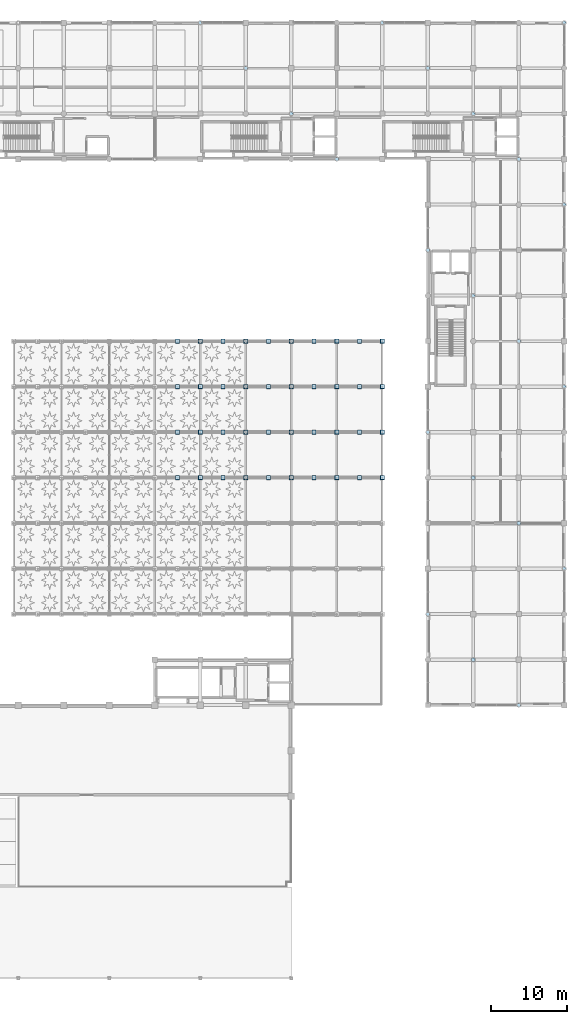
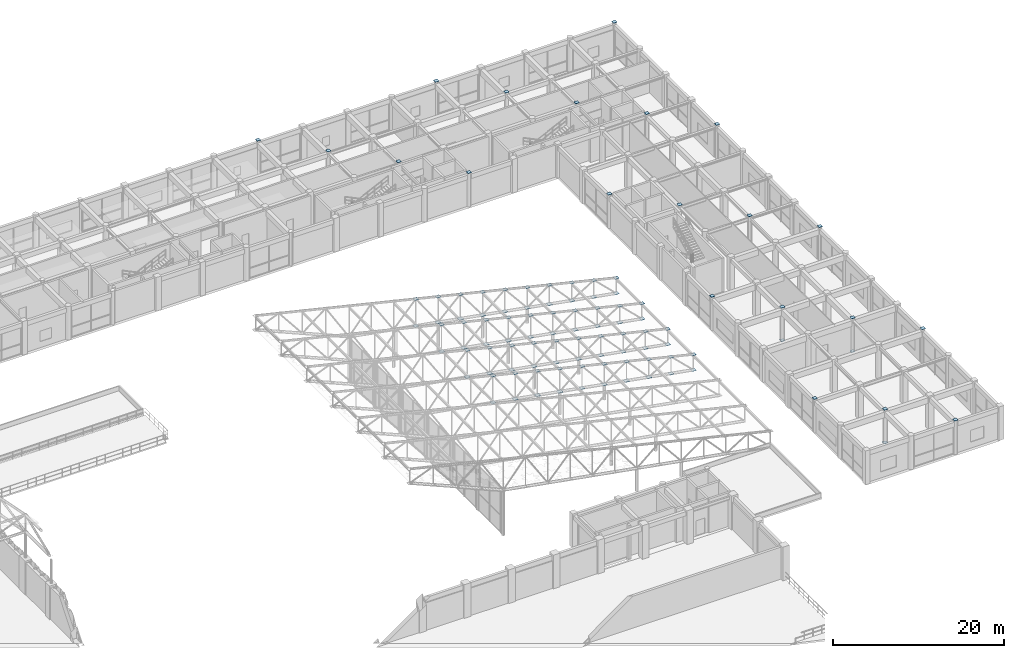
# One storey, part 90 of 112: 104 plates.
"""IFC4 building model written with IfcOpenShell, lengths in metres."""

from ifc_helpers import new_model, si_unit, direction, frame, origin, origin_2d, place, context, subcontext, project, spatial, rectangle, extrude, material, layer, layer_set, type_object, element, save


model = new_model("IFC4")

# Units and contexts
model_context = context("Model", 3, precision=1e-05, world=origin(), true_north=direction((0.0, 1.0)))
body_context = subcontext(model_context, "Body", "Model", "MODEL_VIEW")
ifc_project = project(units=[si_unit("LENGTHUNIT", "METRE"), si_unit("AREAUNIT", "SQUARE_METRE"), si_unit("VOLUMEUNIT", "CUBIC_METRE"), si_unit("PLANEANGLEUNIT", "RADIAN"), si_unit("MASSUNIT", "GRAM", prefix="KILO"), si_unit("THERMODYNAMICTEMPERATUREUNIT", "KELVIN"), si_unit("POWERUNIT", "WATT")], contexts=[model_context])

# Site, building, storey
site_placement = place(None, origin())
site = spatial("IfcSite", under=ifc_project, at=site_placement, CompositionType="ELEMENT")
building_placement = place(site_placement, origin())
building = spatial("IfcBuilding", under=site, at=building_placement, Name="Phaisarnlok Congress Hotel", CompositionType="ELEMENT")
storey_placement = place(building_placement, frame((0.0, 0.0, 19.800048828125)))
storey = spatial("IfcBuildingStorey", under=building, at=storey_placement, Name="L04", CompositionType="ELEMENT", Elevation=19.800048828125)

# Plates
ifc_material = material(Name="Steel S355", Category="steel")
ifc_layer_1 = layer(ifc_material, 0.0400390625, Name="Steel S355")
ifc_layer_set_1 = layer_set([ifc_layer_1], Name="Steel S355")
plate_type_1 = type_object("IfcPlateType", Name="PLT-CAP-480", PredefinedType="SHEET", material=ifc_layer_set_1)
for number, where, z_axis, x_axis, name in (
    (1, (132.0, 126.0, 4.780029296875), (0.0, 0.0, 1.0), (1.0, 0.0, 0.0), "Steel column cap/base plate NP-04 at NP-COLT-COL-L04-132-126"),
    (2, (138.0, 120.0, 4.780029296875), (0.0, 0.0, 1.0), (1.0, 0.0, 0.0), "Steel column cap/base plate NP-04 at NP-COLT-COL-L04-138-120"),
    (3, (144.0, 114.0, 4.780029296875), (0.0, 0.0, 1.0), (1.0, 0.0, 0.0), "Steel column cap/base plate NP-04 at NP-COLT-COL-L04-144-114"),
    (4, (150.0, 108.0, 4.780029296875), (0.0, 0.0, 1.0), (1.0, 0.0, 0.0), "Steel column cap/base plate NP-04 at NP-COLT-COL-L04-150-108"),
    (5, (156.0, 126.0, 4.780029296875), (0.0, 0.0, 1.0), (1.0, 0.0, 0.0), "Steel column cap/base plate NP-04 at NP-COLT-COL-L04-156-126"),
    (6, (162.0, 48.0, 4.780029296875), (0.0, 0.0, 1.0), (1.0, 0.0, 0.0), "Steel column cap/base plate NP-04 at NP-COLT-COL-L04-162-048"),
    (7, (162.0, 72.0, 4.780029296875), (0.0, 0.0, 1.0), (1.0, 0.0, 0.0), "Steel column cap/base plate NP-04 at NP-COLT-COL-L04-162-072"),
    (8, (162.0, 96.0, 4.780029296875), (0.0, 0.0, 1.0), (1.0, 0.0, 0.0), "Steel column cap/base plate NP-04 at NP-COLT-COL-L04-162-096"),
    (9, (162.0, 120.0, 4.780029296875), (0.0, 0.0, 1.0), (1.0, 0.0, 0.0), "Steel column cap/base plate NP-04 at NP-COLT-COL-L04-162-120"),
    (10, (168.0, 42.0, -0.02001953125), (0.0, 0.0, 1.0), (1.0, 0.0, 0.0), "Steel column cap/base plate NP-04 at NP-COLB-COL-L04-168-042"),
    (11, (168.0, 42.0, 4.780029296875), (0.0, 0.0, 1.0), (1.0, 0.0, 0.0), "Steel column cap/base plate NP-04 at NP-COLT-COL-L04-168-042"),
    (12, (168.0, 66.0, -0.02001953125), (0.0, 0.0, 1.0), (1.0, 0.0, 0.0), "Steel column cap/base plate NP-04 at NP-COLB-COL-L04-168-066"),
    (13, (168.0, 66.0, 4.780029296875), (0.0, 0.0, 1.0), (1.0, 0.0, 0.0), "Steel column cap/base plate NP-04 at NP-COLT-COL-L04-168-066"),
    (14, (168.0, 90.0, 4.780029296875), (0.0, 0.0, 1.0), (1.0, 0.0, 0.0), "Steel column cap/base plate NP-04 at NP-COLT-COL-L04-168-090"),
    (15, (168.0, 114.0, 4.780029296875), (0.0, 0.0, 1.0), (1.0, 0.0, 0.0), "Steel column cap/base plate NP-04 at NP-COLT-COL-L04-168-114"),
    (16, (174.0, 36.0, 4.780029296875), (0.0, 0.0, 1.0), (1.0, 0.0, 0.0), "Steel column cap/base plate NP-04 at NP-COLT-COL-L04-174-036"),
    (17, (174.0, 60.0, -0.02001953125), (0.0, 0.0, 1.0), (1.0, 0.0, 0.0), "Steel column cap/base plate NP-04 at NP-COLB-COL-L04-174-060"),
    (18, (174.0, 60.0, 4.780029296875), (0.0, 0.0, 1.0), (1.0, 0.0, 0.0), "Steel column cap/base plate NP-04 at NP-COLT-COL-L04-174-060"),
    (19, (174.0, 84.0, 4.780029296875), (0.0, 0.0, 1.0), (1.0, 0.0, 0.0), "Steel column cap/base plate NP-04 at NP-COLT-COL-L04-174-084"),
    (20, (174.0, 108.0, 4.780029296875), (0.0, 0.0, 1.0), (1.0, 0.0, 0.0), "Steel column cap/base plate NP-04 at NP-COLT-COL-L04-174-108"),
    (21, (180.0, 54.0, 4.780029296875), (0.0, 0.0, 1.0), (1.0, 0.0, 0.0), "Steel column cap/base plate NP-04 at NP-COLT-COL-L04-180-054"),
    (22, (180.0, 78.0, 4.780029296875), (0.0, 0.0, 1.0), (1.0, 0.0, 0.0), "Steel column cap/base plate NP-04 at NP-COLT-COL-L04-180-078"),
    (23, (180.0, 102.0, 4.780029296875), (0.0, 0.0, 1.0), (1.0, 0.0, 0.0), "Steel column cap/base plate NP-04 at NP-COLT-COL-L04-180-102"),
    (24, (180.0, 126.0, 4.780029296875), (0.0, 0.0, 1.0), (1.0, 0.0, 0.0), "Steel column cap/base plate NP-04 at NP-COLT-COL-L04-180-126"),
):
    element("IfcPlate", number, at=place(storey_placement, frame(where, z_axis=z_axis, x_axis=x_axis)), inside=storey, type_object=plate_type_1, Name=name, PredefinedType="SHEET", context=body_context, shape_type="SweptSolid", body=[
        extrude(rectangle(XDim=0.47998046875, YDim=0.47998046875, at=origin_2d()), origin(), (0.0, 0.0, 1.0), 0.0400390625),
    ])
ifc_layer_2 = layer(ifc_material, 0.02490234375, Name="Steel S355")
ifc_layer_set_2 = layer_set([ifc_layer_2], Name="Steel S355")
plate_type_2 = type_object("IfcPlateType", Name="PLT-NODE-520", PredefinedType="SHEET", material=ifc_layer_set_2)
for number, where, z_axis, x_axis, name in (
    (25, (156.0, 66.0, 2.1875), (0.0, 0.0, 1.0), (1.0, 0.0, 0.0), "Steel truss node plate NP-02 at NP-WRC-T-3-00"),
    (26, (153.0, 66.0, 2.903564453125), (0.0, 0.0, 1.0), (1.0, 0.0, 0.0), "Steel truss node plate NP-02 at NP-WRC-T-3-01"),
    (27, (150.0, 66.0, 3.61962890625), (0.0, 0.0, 1.0), (1.0, 0.0, 0.0), "Steel truss node plate NP-02 at NP-WRC-T-3-02"),
    (28, (147.0, 66.0, 4.335693359375), (0.0, 0.0, 1.0), (1.0, 0.0, 0.0), "Steel truss node plate NP-02 at NP-WRC-T-3-03"),
    (29, (144.0, 66.0, 5.0517578125), (0.0, 0.0, 1.0), (1.0, 0.0, 0.0), "Steel truss node plate NP-02 at NP-WRC-T-3-04"),
    (30, (141.0, 66.0, 5.767822265625), (0.0, 0.0, 1.0), (1.0, 0.0, 0.0), "Steel truss node plate NP-02 at NP-WRC-T-3-05"),
    (31, (138.0, 66.0, 6.48388671875), (0.0, 0.0, 1.0), (1.0, 0.0, 0.0), "Steel truss node plate NP-02 at NP-WRC-T-3-06"),
    (32, (135.0, 66.0, 7.199951171875), (0.0, 0.0, 1.0), (1.0, 0.0, 0.0), "Steel truss node plate NP-02 at NP-WRC-T-3-07"),
    (33, (132.0, 66.0, 7.916015625), (0.0, 0.0, 1.0), (1.0, 0.0, 0.0), "Steel truss node plate NP-02 at NP-WRC-T-3-08"),
    (34, (129.0, 66.0, 8.6318359375), (0.0, 0.0, 1.0), (1.0, 0.0, 0.0), "Steel truss node plate NP-02 at NP-WRC-T-3-09"),
    (35, (156.0, 72.0, 2.1875), (0.0, 0.0, 1.0), (1.0, 0.0, 0.0), "Steel truss node plate NP-02 at NP-WRC-T-4-00"),
    (36, (153.0, 72.0, 2.903564453125), (0.0, 0.0, 1.0), (1.0, 0.0, 0.0), "Steel truss node plate NP-02 at NP-WRC-T-4-01"),
    (37, (150.0, 72.0, 3.61962890625), (0.0, 0.0, 1.0), (1.0, 0.0, 0.0), "Steel truss node plate NP-02 at NP-WRC-T-4-02"),
    (38, (147.0, 72.0, 4.335693359375), (0.0, 0.0, 1.0), (1.0, 0.0, 0.0), "Steel truss node plate NP-02 at NP-WRC-T-4-03"),
    (39, (144.0, 72.0, 5.0517578125), (0.0, 0.0, 1.0), (1.0, 0.0, 0.0), "Steel truss node plate NP-02 at NP-WRC-T-4-04"),
    (40, (141.0, 72.0, 5.767822265625), (0.0, 0.0, 1.0), (1.0, 0.0, 0.0), "Steel truss node plate NP-02 at NP-WRC-T-4-05"),
    (41, (138.0, 72.0, 6.48388671875), (0.0, 0.0, 1.0), (1.0, 0.0, 0.0), "Steel truss node plate NP-02 at NP-WRC-T-4-06"),
    (42, (135.0, 72.0, 7.199951171875), (0.0, 0.0, 1.0), (1.0, 0.0, 0.0), "Steel truss node plate NP-02 at NP-WRC-T-4-07"),
    (43, (132.0, 72.0, 7.916015625), (0.0, 0.0, 1.0), (1.0, 0.0, 0.0), "Steel truss node plate NP-02 at NP-WRC-T-4-08"),
    (44, (129.0, 72.0, 8.6318359375), (0.0, 0.0, 1.0), (1.0, 0.0, 0.0), "Steel truss node plate NP-02 at NP-WRC-T-4-09"),
    (45, (156.0, 78.0, 2.1875), (0.0, 0.0, 1.0), (1.0, 0.0, 0.0), "Steel truss node plate NP-02 at NP-WRC-T-5-00"),
    (46, (153.0, 78.0, 2.903564453125), (0.0, 0.0, 1.0), (1.0, 0.0, 0.0), "Steel truss node plate NP-02 at NP-WRC-T-5-01"),
    (47, (150.0, 78.0, 3.61962890625), (0.0, 0.0, 1.0), (1.0, 0.0, 0.0), "Steel truss node plate NP-02 at NP-WRC-T-5-02"),
    (48, (147.0, 78.0, 4.335693359375), (0.0, 0.0, 1.0), (1.0, 0.0, 0.0), "Steel truss node plate NP-02 at NP-WRC-T-5-03"),
    (49, (144.0, 78.0, 5.0517578125), (0.0, 0.0, 1.0), (1.0, 0.0, 0.0), "Steel truss node plate NP-02 at NP-WRC-T-5-04"),
    (50, (141.0, 78.0, 5.767822265625), (0.0, 0.0, 1.0), (1.0, 0.0, 0.0), "Steel truss node plate NP-02 at NP-WRC-T-5-05"),
    (51, (138.0, 78.0, 6.48388671875), (0.0, 0.0, 1.0), (1.0, 0.0, 0.0), "Steel truss node plate NP-02 at NP-WRC-T-5-06"),
    (52, (135.0, 78.0, 7.199951171875), (0.0, 0.0, 1.0), (1.0, 0.0, 0.0), "Steel truss node plate NP-02 at NP-WRC-T-5-07"),
    (53, (132.0, 78.0, 7.916015625), (0.0, 0.0, 1.0), (1.0, 0.0, 0.0), "Steel truss node plate NP-02 at NP-WRC-T-5-08"),
    (54, (129.0, 78.0, 8.6318359375), (0.0, 0.0, 1.0), (1.0, 0.0, 0.0), "Steel truss node plate NP-02 at NP-WRC-T-5-09"),
    (55, (156.0, 84.0, 2.1875), (0.0, 0.0, 1.0), (1.0, 0.0, 0.0), "Steel truss node plate NP-02 at NP-WRC-T-6-00"),
    (56, (153.0, 84.0, 2.903564453125), (0.0, 0.0, 1.0), (1.0, 0.0, 0.0), "Steel truss node plate NP-02 at NP-WRC-T-6-01"),
    (57, (150.0, 84.0, 3.61962890625), (0.0, 0.0, 1.0), (1.0, 0.0, 0.0), "Steel truss node plate NP-02 at NP-WRC-T-6-02"),
    (58, (147.0, 84.0, 4.335693359375), (0.0, 0.0, 1.0), (1.0, 0.0, 0.0), "Steel truss node plate NP-02 at NP-WRC-T-6-03"),
    (59, (144.0, 84.0, 5.0517578125), (0.0, 0.0, 1.0), (1.0, 0.0, 0.0), "Steel truss node plate NP-02 at NP-WRC-T-6-04"),
    (60, (141.0, 84.0, 5.767822265625), (0.0, 0.0, 1.0), (1.0, 0.0, 0.0), "Steel truss node plate NP-02 at NP-WRC-T-6-05"),
    (61, (138.0, 84.0, 6.48388671875), (0.0, 0.0, 1.0), (1.0, 0.0, 0.0), "Steel truss node plate NP-02 at NP-WRC-T-6-06"),
    (62, (135.0, 84.0, 7.199951171875), (0.0, 0.0, 1.0), (1.0, 0.0, 0.0), "Steel truss node plate NP-02 at NP-WRC-T-6-07"),
    (63, (132.0, 84.0, 7.916015625), (0.0, 0.0, 1.0), (1.0, 0.0, 0.0), "Steel truss node plate NP-02 at NP-WRC-T-6-08"),
    (64, (129.0, 84.0, 8.6318359375), (0.0, 0.0, 1.0), (1.0, 0.0, 0.0), "Steel truss node plate NP-02 at NP-WRC-T-6-09"),
):
    element("IfcPlate", number, at=place(storey_placement, frame(where, z_axis=z_axis, x_axis=x_axis)), inside=storey, type_object=plate_type_2, Name=name, PredefinedType="SHEET", context=body_context, shape_type="SweptSolid", body=[
        extrude(rectangle(XDim=0.52001953125, YDim=0.52001953125, at=origin_2d()), origin(), (0.0, 0.0, 1.0), 0.02490234375),
    ])
ifc_layer_3 = layer(ifc_material, 0.030029296875, Name="Steel S355")
ifc_layer_set_3 = layer_set([ifc_layer_3], Name="Steel S355")
plate_type_3 = type_object("IfcPlateType", Name="PLT-NODE-560", PredefinedType="SHEET", material=ifc_layer_set_3)
for number, where, z_axis, x_axis, name in (
    (65, (156.0, 66.0, -0.01513671875), (0.0, 0.0, 1.0), (1.0, 0.0, 0.0), "Steel truss node plate NP-01 at NP-WRC-B-3-00"),
    (66, (153.0, 66.0, 0.51806640625), (0.0, 0.0, 1.0), (1.0, 0.0, 0.0), "Steel truss node plate NP-01 at NP-WRC-B-3-01"),
    (67, (150.0, 66.0, 1.0517578125), (0.0, 0.0, 1.0), (1.0, 0.0, 0.0), "Steel truss node plate NP-01 at NP-WRC-B-3-02"),
    (68, (147.0, 66.0, 1.5849609375), (0.0, 0.0, 1.0), (1.0, 0.0, 0.0), "Steel truss node plate NP-01 at NP-WRC-B-3-03"),
    (69, (144.0, 66.0, 2.1181640625), (0.0, 0.0, 1.0), (1.0, 0.0, 0.0), "Steel truss node plate NP-01 at NP-WRC-B-3-04"),
    (70, (141.0, 66.0, 2.6513671875), (0.0, 0.0, 1.0), (1.0, 0.0, 0.0), "Steel truss node plate NP-01 at NP-WRC-B-3-05"),
    (71, (138.0, 66.0, 3.18505859375), (0.0, 0.0, 1.0), (1.0, 0.0, 0.0), "Steel truss node plate NP-01 at NP-WRC-B-3-06"),
    (72, (135.0, 66.0, 3.71826171875), (0.0, 0.0, 1.0), (1.0, 0.0, 0.0), "Steel truss node plate NP-01 at NP-WRC-B-3-07"),
    (73, (132.0, 66.0, 4.25146484375), (0.0, 0.0, 1.0), (1.0, 0.0, 0.0), "Steel truss node plate NP-01 at NP-WRC-B-3-08"),
    (74, (129.0, 66.0, 4.78515625), (0.0, 0.0, 1.0), (1.0, 0.0, 0.0), "Steel truss node plate NP-01 at NP-WRC-B-3-09"),
    (75, (156.0, 72.0, -0.01513671875), (0.0, 0.0, 1.0), (1.0, 0.0, 0.0), "Steel truss node plate NP-01 at NP-WRC-B-4-00"),
    (76, (153.0, 72.0, 0.51806640625), (0.0, 0.0, 1.0), (1.0, 0.0, 0.0), "Steel truss node plate NP-01 at NP-WRC-B-4-01"),
    (77, (150.0, 72.0, 1.0517578125), (0.0, 0.0, 1.0), (1.0, 0.0, 0.0), "Steel truss node plate NP-01 at NP-WRC-B-4-02"),
    (78, (147.0, 72.0, 1.5849609375), (0.0, 0.0, 1.0), (1.0, 0.0, 0.0), "Steel truss node plate NP-01 at NP-WRC-B-4-03"),
    (79, (144.0, 72.0, 2.1181640625), (0.0, 0.0, 1.0), (1.0, 0.0, 0.0), "Steel truss node plate NP-01 at NP-WRC-B-4-04"),
    (80, (141.0, 72.0, 2.6513671875), (0.0, 0.0, 1.0), (1.0, 0.0, 0.0), "Steel truss node plate NP-01 at NP-WRC-B-4-05"),
    (81, (138.0, 72.0, 3.18505859375), (0.0, 0.0, 1.0), (1.0, 0.0, 0.0), "Steel truss node plate NP-01 at NP-WRC-B-4-06"),
    (82, (135.0, 72.0, 3.71826171875), (0.0, 0.0, 1.0), (1.0, 0.0, 0.0), "Steel truss node plate NP-01 at NP-WRC-B-4-07"),
    (83, (132.0, 72.0, 4.25146484375), (0.0, 0.0, 1.0), (1.0, 0.0, 0.0), "Steel truss node plate NP-01 at NP-WRC-B-4-08"),
    (84, (129.0, 72.0, 4.78515625), (0.0, 0.0, 1.0), (1.0, 0.0, 0.0), "Steel truss node plate NP-01 at NP-WRC-B-4-09"),
    (85, (156.0, 78.0, -0.01513671875), (0.0, 0.0, 1.0), (1.0, 0.0, 0.0), "Steel truss node plate NP-01 at NP-WRC-B-5-00"),
    (86, (153.0, 78.0, 0.51806640625), (0.0, 0.0, 1.0), (1.0, 0.0, 0.0), "Steel truss node plate NP-01 at NP-WRC-B-5-01"),
    (87, (150.0, 78.0, 1.0517578125), (0.0, 0.0, 1.0), (1.0, 0.0, 0.0), "Steel truss node plate NP-01 at NP-WRC-B-5-02"),
    (88, (147.0, 78.0, 1.5849609375), (0.0, 0.0, 1.0), (1.0, 0.0, 0.0), "Steel truss node plate NP-01 at NP-WRC-B-5-03"),
    (89, (144.0, 78.0, 2.1181640625), (0.0, 0.0, 1.0), (1.0, 0.0, 0.0), "Steel truss node plate NP-01 at NP-WRC-B-5-04"),
    (90, (141.0, 78.0, 2.6513671875), (0.0, 0.0, 1.0), (1.0, 0.0, 0.0), "Steel truss node plate NP-01 at NP-WRC-B-5-05"),
    (91, (138.0, 78.0, 3.18505859375), (0.0, 0.0, 1.0), (1.0, 0.0, 0.0), "Steel truss node plate NP-01 at NP-WRC-B-5-06"),
    (92, (135.0, 78.0, 3.71826171875), (0.0, 0.0, 1.0), (1.0, 0.0, 0.0), "Steel truss node plate NP-01 at NP-WRC-B-5-07"),
    (93, (132.0, 78.0, 4.25146484375), (0.0, 0.0, 1.0), (1.0, 0.0, 0.0), "Steel truss node plate NP-01 at NP-WRC-B-5-08"),
    (94, (129.0, 78.0, 4.78515625), (0.0, 0.0, 1.0), (1.0, 0.0, 0.0), "Steel truss node plate NP-01 at NP-WRC-B-5-09"),
    (95, (156.0, 84.0, -0.01513671875), (0.0, 0.0, 1.0), (1.0, 0.0, 0.0), "Steel truss node plate NP-01 at NP-WRC-B-6-00"),
    (96, (153.0, 84.0, 0.51806640625), (0.0, 0.0, 1.0), (1.0, 0.0, 0.0), "Steel truss node plate NP-01 at NP-WRC-B-6-01"),
    (97, (150.0, 84.0, 1.0517578125), (0.0, 0.0, 1.0), (1.0, 0.0, 0.0), "Steel truss node plate NP-01 at NP-WRC-B-6-02"),
    (98, (147.0, 84.0, 1.5849609375), (0.0, 0.0, 1.0), (1.0, 0.0, 0.0), "Steel truss node plate NP-01 at NP-WRC-B-6-03"),
    (99, (144.0, 84.0, 2.1181640625), (0.0, 0.0, 1.0), (1.0, 0.0, 0.0), "Steel truss node plate NP-01 at NP-WRC-B-6-04"),
    (100, (141.0, 84.0, 2.6513671875), (0.0, 0.0, 1.0), (1.0, 0.0, 0.0), "Steel truss node plate NP-01 at NP-WRC-B-6-05"),
    (101, (138.0, 84.0, 3.18505859375), (0.0, 0.0, 1.0), (1.0, 0.0, 0.0), "Steel truss node plate NP-01 at NP-WRC-B-6-06"),
    (102, (135.0, 84.0, 3.71826171875), (0.0, 0.0, 1.0), (1.0, 0.0, 0.0), "Steel truss node plate NP-01 at NP-WRC-B-6-07"),
    (103, (132.0, 84.0, 4.25146484375), (0.0, 0.0, 1.0), (1.0, 0.0, 0.0), "Steel truss node plate NP-01 at NP-WRC-B-6-08"),
    (104, (129.0, 84.0, 4.78515625), (0.0, 0.0, 1.0), (1.0, 0.0, 0.0), "Steel truss node plate NP-01 at NP-WRC-B-6-09"),
):
    element("IfcPlate", number, at=place(storey_placement, frame(where, z_axis=z_axis, x_axis=x_axis)), inside=storey, type_object=plate_type_3, Name=name, PredefinedType="SHEET", context=body_context, shape_type="SweptSolid", body=[
        extrude(rectangle(XDim=0.56005859375, YDim=0.56005859375, at=origin_2d()), origin(), (0.0, 0.0, 1.0), 0.030029296875),
    ])

save(model, "model.ifc")
